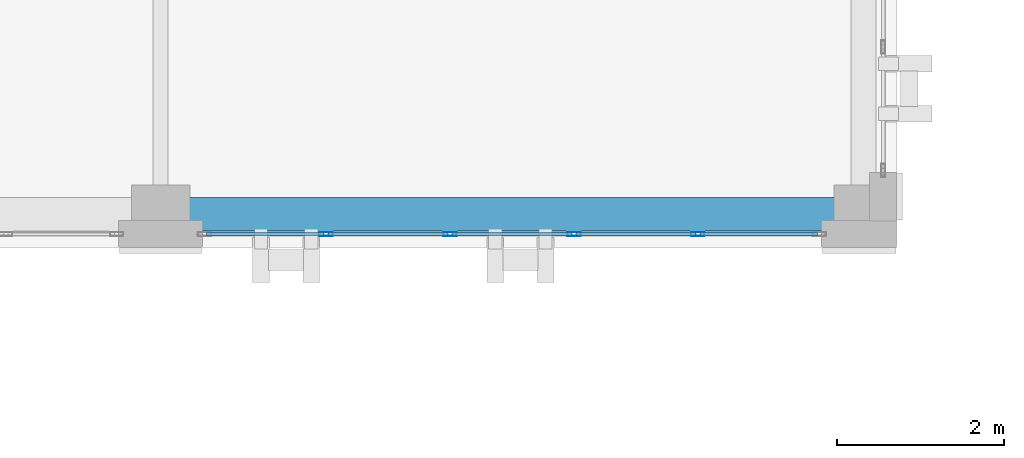
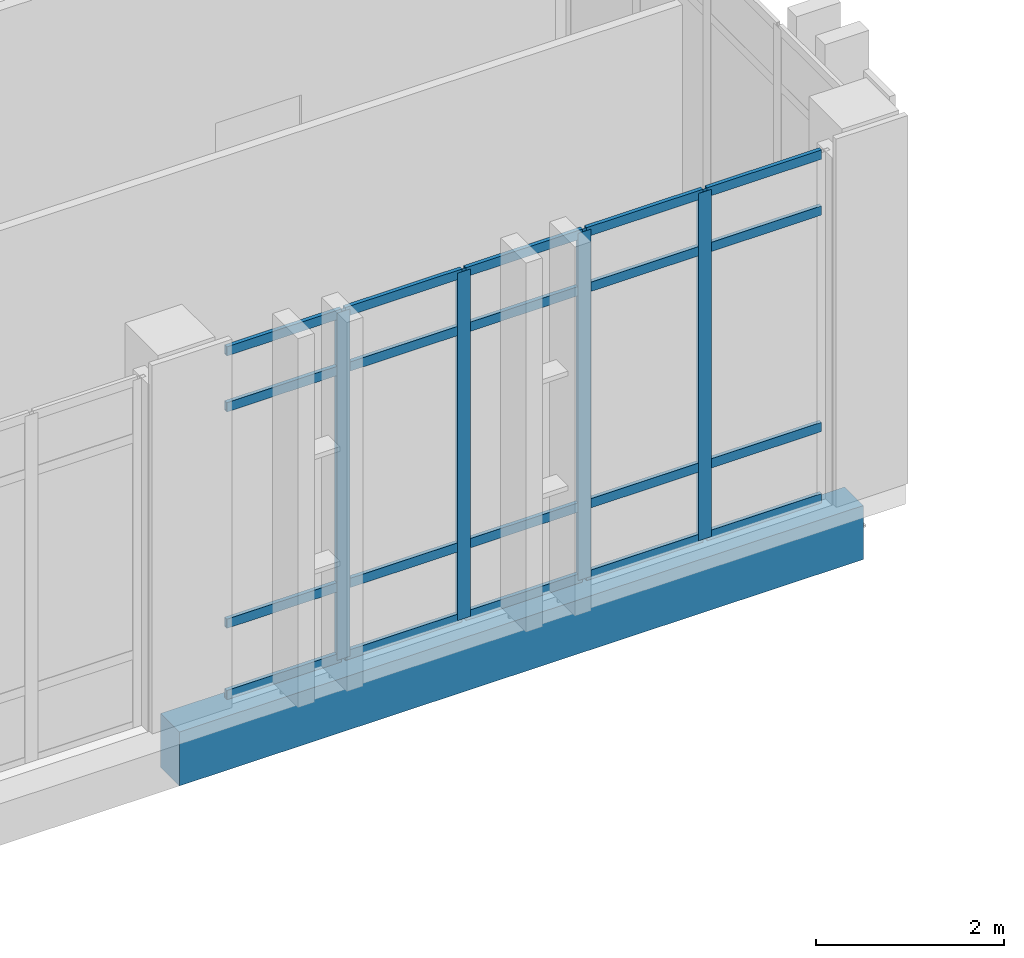
# One storey, part 85 of 189: 24 members, 1 beam, 1 element without a shape of its own.
"""IFC4 building model written with IfcOpenShell, lengths in metres."""

from ifc_helpers import new_model, si_unit, direction, frame, origin, origin_2d, place, context, subcontext, project, spatial, rectangle, hollow_rectangle, extrude, material, layer, layer_set, material_profile, profile_set, type_object, element, aggregate, save


model = new_model("IFC4")

# Units and contexts
model_context = context("Model", 3, precision=1e-05, world=origin(), true_north=direction((0.0, 1.0)))
body_context = subcontext(model_context, "Body", "Model", "MODEL_VIEW")
ifc_project = project(units=[si_unit("LENGTHUNIT", "METRE"), si_unit("AREAUNIT", "SQUARE_METRE"), si_unit("VOLUMEUNIT", "CUBIC_METRE"), si_unit("PLANEANGLEUNIT", "RADIAN"), si_unit("MASSUNIT", "GRAM", prefix="KILO")], contexts=[model_context])

# Site, building, storey
site_placement = place(None, origin())
site = spatial("IfcSite", under=ifc_project, at=site_placement, CompositionType="ELEMENT")
building_placement = place(site_placement, origin())
building = spatial("IfcBuilding", under=site, at=building_placement, Name="Qalavern Law Courts", CompositionType="ELEMENT")
storey_placement = place(building_placement, frame((0.0, 0.0, 5.39990234375)))
storey = spatial("IfcBuildingStorey", under=building, at=storey_placement, Name="L01", CompositionType="ELEMENT", Elevation=5.39990234375)

# Curtain wall, members
ifc_material_1 = material(Name="Anodised aluminium and insulated glazing", Category="aluminium")
ifc_layer = layer(ifc_material_1, 0.166015625)
ifc_layer_set = layer_set([ifc_layer], Name="Anodised aluminium and insulated glazing")
curtain_wall_type = type_object("IfcCurtainWallType", Name="ENV-CW-LIB", PredefinedType="USERDEFINED", material=ifc_layer_set)
curtain_wall_placement = place(storey_placement, origin())
curtain_wall = element("IfcCurtainWall", 1, at=curtain_wall_placement, inside=storey, type_object=curtain_wall_type, Name="V5 unitised curtain wall L01 south 6", ObjectType="UNITISED CURTAIN WALL", PredefinedType="USERDEFINED")
ifc_material_2 = material(Name="Anodised aluminium", Category="aluminium")
ifc_material_profile_1 = material_profile(ifc_material_2, hollow_rectangle(XDim=0.048095703125, YDim=0.159912109375, WallThickness=0.00390625, at=origin_2d()), Name="ALU MULLION 48x160")
ifc_profile_set_1 = profile_set([ifc_material_profile_1], Name="Anodised aluminium")
member_type_1 = type_object("IfcMemberType", Name="ENV-CWM-48x160", PredefinedType="MULLION", material=ifc_profile_set_1)
member_1_placement = place(storey_placement, frame((59.97998046875, 96.362548828125, 0.0), z_axis=(0.0, 0.0, 1.0), x_axis=(0.0, 1.0, 0.0)))
member_1 = element("IfcMember", 2, at=member_1_placement, type_object=member_type_1, Name="CW-05 mullion 2", PredefinedType="MULLION", context=body_context, shape_type="SweptSolid", body=[
    extrude(hollow_rectangle(XDim=0.048095703125, YDim=0.159912109375, WallThickness=0.00390625, at=origin_2d()), origin(), (0.0, 0.0, 1.0), 4.510009765625),
])
member_2_placement = place(storey_placement, frame((61.4599609375, 96.362548828125, 0.0), z_axis=(0.0, 0.0, 1.0), x_axis=(0.0, 1.0, 0.0)))
member_2 = element("IfcMember", 3, at=member_2_placement, type_object=member_type_1, Name="CW-05 mullion 3", PredefinedType="MULLION", context=body_context, shape_type="SweptSolid", body=[
    extrude(hollow_rectangle(XDim=0.048095703125, YDim=0.159912109375, WallThickness=0.00390625, at=origin_2d()), origin(), (0.0, 0.0, 1.0), 4.510009765625),
])
member_3_placement = place(storey_placement, frame((62.93994140625, 96.362548828125, 0.0), z_axis=(0.0, 0.0, 1.0), x_axis=(0.0, 1.0, 0.0)))
member_3 = element("IfcMember", 4, at=member_3_placement, type_object=member_type_1, Name="CW-05 mullion 4", PredefinedType="MULLION", context=body_context, shape_type="SweptSolid", body=[
    extrude(hollow_rectangle(XDim=0.048095703125, YDim=0.159912109375, WallThickness=0.00390625, at=origin_2d()), origin(), (0.0, 0.0, 1.0), 4.510009765625),
])
member_4_placement = place(storey_placement, frame((64.419921875, 96.362548828125, 0.0), z_axis=(0.0, 0.0, 1.0), x_axis=(0.0, 1.0, 0.0)))
member_4 = element("IfcMember", 5, at=member_4_placement, type_object=member_type_1, Name="CW-05 mullion 5", PredefinedType="MULLION", context=body_context, shape_type="SweptSolid", body=[
    extrude(hollow_rectangle(XDim=0.048095703125, YDim=0.159912109375, WallThickness=0.00390625, at=origin_2d()), origin(), (0.0, 0.0, 1.0), 4.510009765625),
])
ifc_material_profile_2 = material_profile(ifc_material_2, hollow_rectangle(XDim=0.048095703125, YDim=0.1201171875, WallThickness=0.00390625, at=origin_2d()), Name="ALU TRANSOM 48x120")
ifc_profile_set_2 = profile_set([ifc_material_profile_2], Name="Anodised aluminium")
member_type_2 = type_object("IfcMemberType", Name="ENV-CWT-48x120", PredefinedType="USERDEFINED", material=ifc_profile_set_2)
member_5_placement = place(storey_placement, frame((58.548095703125, 96.362548828125, 0.024169921875), z_axis=(1.0, 0.0, 0.0), x_axis=(0.0, 1.0, 0.0)))
member_5 = element("IfcMember", 6, at=member_5_placement, type_object=member_type_2, Name="CW-05 transom 1.1", ObjectType="TRANSOM", PredefinedType="USERDEFINED", context=body_context, shape_type="SweptSolid", body=[
    extrude(hollow_rectangle(XDim=0.048095703125, YDim=0.1201171875, WallThickness=0.00390625, at=origin_2d()), origin(), (0.0, 0.0, 1.0), 1.407958984375),
])
member_6_placement = place(storey_placement, frame((58.548095703125, 96.362548828125, 0.9501953125), z_axis=(1.0, 0.0, 0.0), x_axis=(0.0, 1.0, 0.0)))
member_6 = element("IfcMember", 7, at=member_6_placement, type_object=member_type_2, Name="CW-05 transom 1.2", ObjectType="TRANSOM", PredefinedType="USERDEFINED", context=body_context, shape_type="SweptSolid", body=[
    extrude(hollow_rectangle(XDim=0.048095703125, YDim=0.1201171875, WallThickness=0.00390625, at=origin_2d()), origin(), (0.0, 0.0, 1.0), 1.407958984375),
])
member_7_placement = place(storey_placement, frame((58.548095703125, 96.362548828125, 3.760009765625), z_axis=(1.0, 0.0, 0.0), x_axis=(0.0, 1.0, 0.0)))
member_7 = element("IfcMember", 8, at=member_7_placement, type_object=member_type_2, Name="CW-05 transom 1.3", ObjectType="TRANSOM", PredefinedType="USERDEFINED", context=body_context, shape_type="SweptSolid", body=[
    extrude(hollow_rectangle(XDim=0.048095703125, YDim=0.1201171875, WallThickness=0.00390625, at=origin_2d()), origin(), (0.0, 0.0, 1.0), 1.407958984375),
])
member_8_placement = place(storey_placement, frame((58.548095703125, 96.362548828125, 4.486083984375), z_axis=(1.0, 0.0, 0.0), x_axis=(0.0, 1.0, 0.0)))
member_8 = element("IfcMember", 9, at=member_8_placement, type_object=member_type_2, Name="CW-05 transom 1.4", ObjectType="TRANSOM", PredefinedType="USERDEFINED", context=body_context, shape_type="SweptSolid", body=[
    extrude(hollow_rectangle(XDim=0.048095703125, YDim=0.1201171875, WallThickness=0.00390625, at=origin_2d()), origin(), (0.0, 0.0, 1.0), 1.407958984375),
])
member_9_placement = place(storey_placement, frame((60.00390625, 96.362548828125, 0.024169921875), z_axis=(1.0, 0.0, 0.0), x_axis=(0.0, 1.0, 0.0)))
member_9 = element("IfcMember", 10, at=member_9_placement, type_object=member_type_2, Name="CW-05 transom 2.1", ObjectType="TRANSOM", PredefinedType="USERDEFINED", context=body_context, shape_type="SweptSolid", body=[
    extrude(hollow_rectangle(XDim=0.048095703125, YDim=0.1201171875, WallThickness=0.00390625, at=origin_2d()), origin(), (0.0, 0.0, 1.0), 1.43212890625),
])
member_10_placement = place(storey_placement, frame((60.00390625, 96.362548828125, 0.9501953125), z_axis=(1.0, 0.0, 0.0), x_axis=(0.0, 1.0, 0.0)))
member_10 = element("IfcMember", 11, at=member_10_placement, type_object=member_type_2, Name="CW-05 transom 2.2", ObjectType="TRANSOM", PredefinedType="USERDEFINED", context=body_context, shape_type="SweptSolid", body=[
    extrude(hollow_rectangle(XDim=0.048095703125, YDim=0.1201171875, WallThickness=0.00390625, at=origin_2d()), origin(), (0.0, 0.0, 1.0), 1.43212890625),
])
member_11_placement = place(storey_placement, frame((60.00390625, 96.362548828125, 3.760009765625), z_axis=(1.0, 0.0, 0.0), x_axis=(0.0, 1.0, 0.0)))
member_11 = element("IfcMember", 12, at=member_11_placement, type_object=member_type_2, Name="CW-05 transom 2.3", ObjectType="TRANSOM", PredefinedType="USERDEFINED", context=body_context, shape_type="SweptSolid", body=[
    extrude(hollow_rectangle(XDim=0.048095703125, YDim=0.1201171875, WallThickness=0.00390625, at=origin_2d()), origin(), (0.0, 0.0, 1.0), 1.43212890625),
])
member_12_placement = place(storey_placement, frame((60.00390625, 96.362548828125, 4.486083984375), z_axis=(1.0, 0.0, 0.0), x_axis=(0.0, 1.0, 0.0)))
member_12 = element("IfcMember", 13, at=member_12_placement, type_object=member_type_2, Name="CW-05 transom 2.4", ObjectType="TRANSOM", PredefinedType="USERDEFINED", context=body_context, shape_type="SweptSolid", body=[
    extrude(hollow_rectangle(XDim=0.048095703125, YDim=0.1201171875, WallThickness=0.00390625, at=origin_2d()), origin(), (0.0, 0.0, 1.0), 1.43212890625),
])
member_13_placement = place(storey_placement, frame((61.48388671875, 96.362548828125, 0.024169921875), z_axis=(1.0, 0.0, 0.0), x_axis=(0.0, 1.0, 0.0)))
member_13 = element("IfcMember", 14, at=member_13_placement, type_object=member_type_2, Name="CW-05 transom 3.1", ObjectType="TRANSOM", PredefinedType="USERDEFINED", context=body_context, shape_type="SweptSolid", body=[
    extrude(hollow_rectangle(XDim=0.048095703125, YDim=0.1201171875, WallThickness=0.00390625, at=origin_2d()), origin(), (0.0, 0.0, 1.0), 1.43212890625),
])
member_14_placement = place(storey_placement, frame((61.48388671875, 96.362548828125, 0.9501953125), z_axis=(1.0, 0.0, 0.0), x_axis=(0.0, 1.0, 0.0)))
member_14 = element("IfcMember", 15, at=member_14_placement, type_object=member_type_2, Name="CW-05 transom 3.2", ObjectType="TRANSOM", PredefinedType="USERDEFINED", context=body_context, shape_type="SweptSolid", body=[
    extrude(hollow_rectangle(XDim=0.048095703125, YDim=0.1201171875, WallThickness=0.00390625, at=origin_2d()), origin(), (0.0, 0.0, 1.0), 1.43212890625),
])
member_15_placement = place(storey_placement, frame((61.48388671875, 96.362548828125, 3.760009765625), z_axis=(1.0, 0.0, 0.0), x_axis=(0.0, 1.0, 0.0)))
member_15 = element("IfcMember", 16, at=member_15_placement, type_object=member_type_2, Name="CW-05 transom 3.3", ObjectType="TRANSOM", PredefinedType="USERDEFINED", context=body_context, shape_type="SweptSolid", body=[
    extrude(hollow_rectangle(XDim=0.048095703125, YDim=0.1201171875, WallThickness=0.00390625, at=origin_2d()), origin(), (0.0, 0.0, 1.0), 1.43212890625),
])
member_16_placement = place(storey_placement, frame((61.48388671875, 96.362548828125, 4.486083984375), z_axis=(1.0, 0.0, 0.0), x_axis=(0.0, 1.0, 0.0)))
member_16 = element("IfcMember", 17, at=member_16_placement, type_object=member_type_2, Name="CW-05 transom 3.4", ObjectType="TRANSOM", PredefinedType="USERDEFINED", context=body_context, shape_type="SweptSolid", body=[
    extrude(hollow_rectangle(XDim=0.048095703125, YDim=0.1201171875, WallThickness=0.00390625, at=origin_2d()), origin(), (0.0, 0.0, 1.0), 1.43212890625),
])
member_17_placement = place(storey_placement, frame((62.964111328125, 96.362548828125, 0.024169921875), z_axis=(1.0, 0.0, 0.0), x_axis=(0.0, 1.0, 0.0)))
member_17 = element("IfcMember", 18, at=member_17_placement, type_object=member_type_2, Name="CW-05 transom 4.1", ObjectType="TRANSOM", PredefinedType="USERDEFINED", context=body_context, shape_type="SweptSolid", body=[
    extrude(hollow_rectangle(XDim=0.048095703125, YDim=0.1201171875, WallThickness=0.00390625, at=origin_2d()), origin(), (0.0, 0.0, 1.0), 1.431884765625),
])
member_18_placement = place(storey_placement, frame((62.964111328125, 96.362548828125, 0.9501953125), z_axis=(1.0, 0.0, 0.0), x_axis=(0.0, 1.0, 0.0)))
member_18 = element("IfcMember", 19, at=member_18_placement, type_object=member_type_2, Name="CW-05 transom 4.2", ObjectType="TRANSOM", PredefinedType="USERDEFINED", context=body_context, shape_type="SweptSolid", body=[
    extrude(hollow_rectangle(XDim=0.048095703125, YDim=0.1201171875, WallThickness=0.00390625, at=origin_2d()), origin(), (0.0, 0.0, 1.0), 1.431884765625),
])
member_19_placement = place(storey_placement, frame((62.964111328125, 96.362548828125, 3.760009765625), z_axis=(1.0, 0.0, 0.0), x_axis=(0.0, 1.0, 0.0)))
member_19 = element("IfcMember", 20, at=member_19_placement, type_object=member_type_2, Name="CW-05 transom 4.3", ObjectType="TRANSOM", PredefinedType="USERDEFINED", context=body_context, shape_type="SweptSolid", body=[
    extrude(hollow_rectangle(XDim=0.048095703125, YDim=0.1201171875, WallThickness=0.00390625, at=origin_2d()), origin(), (0.0, 0.0, 1.0), 1.431884765625),
])
member_20_placement = place(storey_placement, frame((62.964111328125, 96.362548828125, 4.486083984375), z_axis=(1.0, 0.0, 0.0), x_axis=(0.0, 1.0, 0.0)))
member_20 = element("IfcMember", 21, at=member_20_placement, type_object=member_type_2, Name="CW-05 transom 4.4", ObjectType="TRANSOM", PredefinedType="USERDEFINED", context=body_context, shape_type="SweptSolid", body=[
    extrude(hollow_rectangle(XDim=0.048095703125, YDim=0.1201171875, WallThickness=0.00390625, at=origin_2d()), origin(), (0.0, 0.0, 1.0), 1.431884765625),
])
member_21_placement = place(storey_placement, frame((64.444091796875, 96.362548828125, 0.024169921875), z_axis=(1.0, 0.0, 0.0), x_axis=(0.0, 1.0, 0.0)))
member_21 = element("IfcMember", 22, at=member_21_placement, type_object=member_type_2, Name="CW-05 transom 5.1", ObjectType="TRANSOM", PredefinedType="USERDEFINED", context=body_context, shape_type="SweptSolid", body=[
    extrude(hollow_rectangle(XDim=0.048095703125, YDim=0.1201171875, WallThickness=0.00390625, at=origin_2d()), origin(), (0.0, 0.0, 1.0), 1.407958984375),
])
member_22_placement = place(storey_placement, frame((64.444091796875, 96.362548828125, 0.9501953125), z_axis=(1.0, 0.0, 0.0), x_axis=(0.0, 1.0, 0.0)))
member_22 = element("IfcMember", 23, at=member_22_placement, type_object=member_type_2, Name="CW-05 transom 5.2", ObjectType="TRANSOM", PredefinedType="USERDEFINED", context=body_context, shape_type="SweptSolid", body=[
    extrude(hollow_rectangle(XDim=0.048095703125, YDim=0.1201171875, WallThickness=0.00390625, at=origin_2d()), origin(), (0.0, 0.0, 1.0), 1.407958984375),
])
member_23_placement = place(storey_placement, frame((64.444091796875, 96.362548828125, 3.760009765625), z_axis=(1.0, 0.0, 0.0), x_axis=(0.0, 1.0, 0.0)))
member_23 = element("IfcMember", 24, at=member_23_placement, type_object=member_type_2, Name="CW-05 transom 5.3", ObjectType="TRANSOM", PredefinedType="USERDEFINED", context=body_context, shape_type="SweptSolid", body=[
    extrude(hollow_rectangle(XDim=0.048095703125, YDim=0.1201171875, WallThickness=0.00390625, at=origin_2d()), origin(), (0.0, 0.0, 1.0), 1.407958984375),
])
member_24_placement = place(storey_placement, frame((64.444091796875, 96.362548828125, 4.486083984375), z_axis=(1.0, 0.0, 0.0), x_axis=(0.0, 1.0, 0.0)))
member_24 = element("IfcMember", 25, at=member_24_placement, type_object=member_type_2, Name="CW-05 transom 5.4", ObjectType="TRANSOM", PredefinedType="USERDEFINED", context=body_context, shape_type="SweptSolid", body=[
    extrude(hollow_rectangle(XDim=0.048095703125, YDim=0.1201171875, WallThickness=0.00390625, at=origin_2d()), origin(), (0.0, 0.0, 1.0), 1.407958984375),
])
aggregate(curtain_wall, [member_1, member_2, member_3, member_4, member_5, member_6, member_7, member_8, member_9, member_10, member_11, member_12, member_13, member_14, member_15, member_16, member_17, member_18, member_19, member_20, member_21, member_22, member_23, member_24])

# Beam
ifc_material_3 = material(Name="Concrete C40/50", Category="concrete")
ifc_material_profile_3 = material_profile(ifc_material_3, rectangle(XDim=0.39990234375, YDim=0.699951171875, at=origin_2d()), Name="RC 400x700")
ifc_profile_set_3 = profile_set([ifc_material_profile_3], Name="Concrete C40/50")
beam_type = type_object("IfcBeamType", Name="STR-SP-RC400x700", PredefinedType="SPANDREL", material=ifc_profile_set_3)
beam_placement = place(storey_placement, frame((58.0, 96.60009765625, -0.64990234375), z_axis=(1.0, 0.0, 0.0), x_axis=(0.0, 1.0, 0.0)))
element("IfcBeam", 26, at=beam_placement, inside=storey, type_object=beam_type, Name="V5 X-beam 1-8 L01", PredefinedType="SPANDREL", context=body_context, shape_type="SweptSolid", body=[
    extrude(rectangle(XDim=0.39990234375, YDim=0.699951171875, at=origin_2d()), origin(), (0.0, 0.0, 1.0), 8.39990234375),
])

save(model, "model.ifc")
